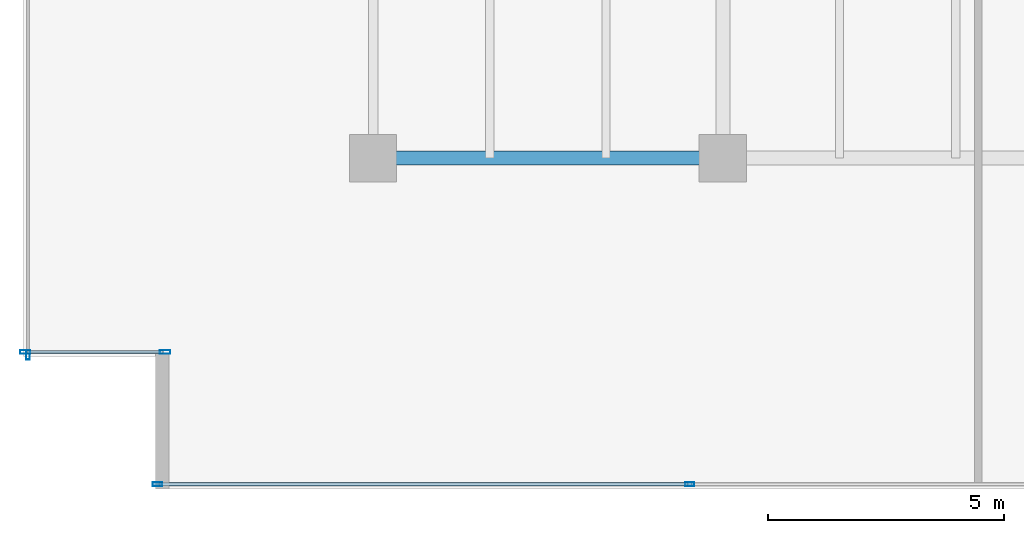
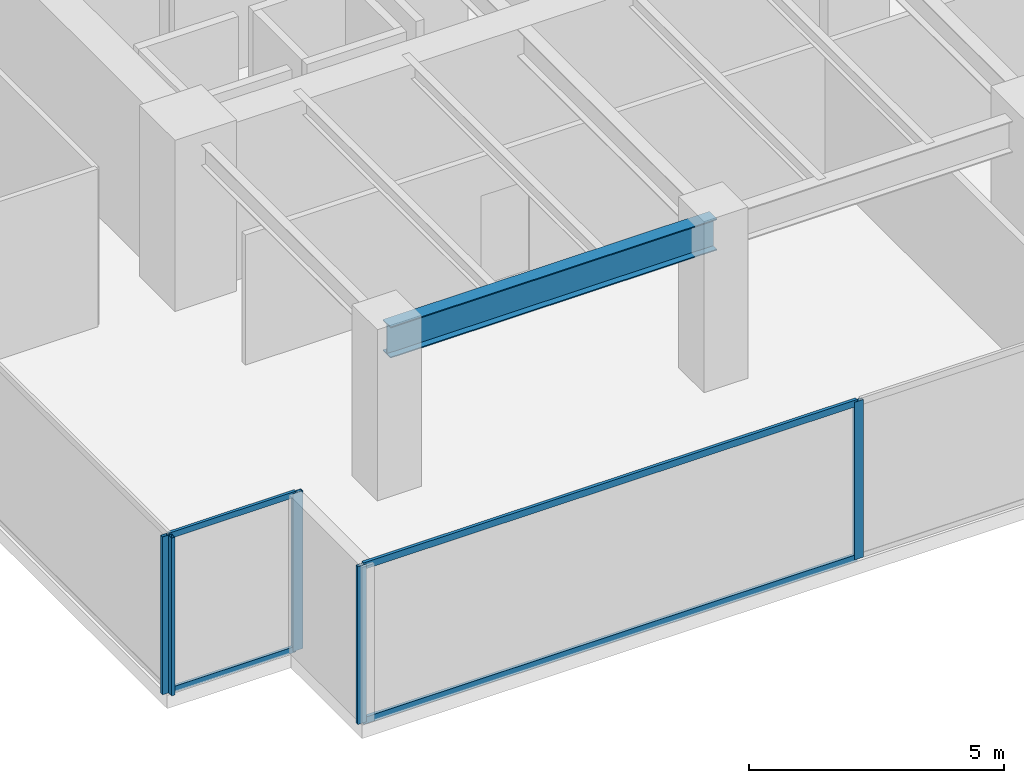
# One storey, part 2 of 35: 9 members, 1 beam, 3 elements without a shape of their own.
"""IFC4 building model written with IfcOpenShell, lengths in metres."""

from ifc_helpers import new_model, si_unit, direction, frame, origin, origin_2d, place, context, subcontext, project, spatial, hollow_rectangle, i_section, extrude, source, transform, mapped, material, layer, layer_set, material_profile, profile_set, type_object, type_shapes, element, aggregate, save


model = new_model("IFC4")

# Units and contexts
model_context = context("Model", 3, precision=1e-05, world=origin(), true_north=direction((0.0, 1.0)))
body_context = subcontext(model_context, "Body", "Model", "MODEL_VIEW")
ifc_project = project(units=[si_unit("LENGTHUNIT", "METRE"), si_unit("AREAUNIT", "SQUARE_METRE"), si_unit("VOLUMEUNIT", "CUBIC_METRE"), si_unit("PLANEANGLEUNIT", "RADIAN"), si_unit("MASSUNIT", "GRAM", prefix="KILO")], contexts=[model_context])

# Site, building, storey
site_placement = place(None, origin())
site = spatial("IfcSite", under=ifc_project, at=site_placement, CompositionType="ELEMENT")
building_placement = place(site_placement, origin())
building = spatial("IfcBuilding", under=site, at=building_placement, Name="Haelvirn Gate Laboratories", CompositionType="ELEMENT")
storey_placement = place(building_placement, frame((0.0, 0.0, 70.300048828125)))
storey = spatial("IfcBuildingStorey", under=building, at=storey_placement, Name="L17", CompositionType="ELEMENT", Elevation=70.300048828125)

# Beam
ifc_material_1 = material(Name="Steel SM355", Category="steel")
ifc_material_profile_1 = material_profile(ifc_material_1, i_section(OverallWidth=0.300048828125, OverallDepth=0.75, WebThickness=0.013916015625, FlangeThickness=0.02392578125, at=origin_2d()), Name="H-750x300x14x24")
ifc_profile_set_1 = profile_set([ifc_material_profile_1], Name="Steel SM355")
beam_type = type_object("IfcBeamType", Name="BM-G-750", PredefinedType="BEAM", material=ifc_profile_set_1)
shared_shape_1 = source(origin(), body_context, "Body", "SweptSolid", [
    extrude(i_section(OverallWidth=0.300048828125, OverallDepth=0.75, WebThickness=0.013916015625, FlangeThickness=0.02392578125, at=origin_2d()), origin(), (0.0, 0.0, 1.0), 7.400146484375),
])
type_shapes(beam_type, [shared_shape_1])
beam_placement = place(storey_placement, frame((7.39990234375, 7.0, 3.405029296875), z_axis=(1.0, 0.0, 0.0), x_axis=(0.0, 1.0, 0.0)))
element("IfcBeam", 1, at=beam_placement, inside=storey, type_object=beam_type, Name="L17 Primary Girder Y7.0 (7.4-14.8)", PredefinedType="BEAM", context=body_context, shape_type="MappedRepresentation", body=[
    mapped(shared_shape_1, transform((0.0, 0.0, 0.0), scale=1.0)),
])

# Curtain wall, members
ifc_material_2 = material(Name="Anodised bronze unitised aluminium & triple low-E glass", Category="aluminium")
ifc_layer_1 = layer(ifc_material_2, 0.18408203125, Name="CW-SYS-2")
ifc_layer_set_1 = layer_set([ifc_layer_1], Name="Anodised bronze unitised aluminium & triple low-E glass")
curtain_wall_type_1 = type_object("IfcCurtainWallType", Name="CW-SYS-2", PredefinedType="NOTDEFINED", material=ifc_layer_set_1)
curtain_wall_1_placement = place(storey_placement, origin())
curtain_wall_1 = element("IfcCurtainWall", 2, at=curtain_wall_1_placement, inside=storey, type_object=curtain_wall_type_1, Name="L17 Unitised Curtain Wall CW-L17-P0-E00-1", PredefinedType="NOTDEFINED")
ifc_material_3 = material(Name="Extruded aluminium 6063-T6 (anodised bronze)", Category="aluminium")
ifc_material_profile_2 = material_profile(ifc_material_3, hollow_rectangle(XDim=0.074951171875, YDim=0.199951171875, WallThickness=0.0048828125, at=origin_2d()), Name="CWM-200x75x5")
ifc_profile_set_2 = profile_set([ifc_material_profile_2], Name="Extruded aluminium 6063-T6 (anodised bronze)")
member_type_1 = type_object("IfcMemberType", Name="CWM-T200", PredefinedType="MULLION", material=ifc_profile_set_2)
shared_shape_2 = source(origin(), body_context, "Body", "SweptSolid", [
    extrude(hollow_rectangle(XDim=0.074951171875, YDim=0.199951171875, WallThickness=0.0048828125, at=origin_2d()), origin(), (0.0, 0.0, 1.0), 3.780029296875),
])
type_shapes(member_type_1, [shared_shape_2])
member_1_placement = place(storey_placement, frame((2.83740234375, 0.10009765625, 0.0), z_axis=(0.0, 0.0, 1.0), x_axis=(0.0, 1.0, 0.0)))
member_1 = element("IfcMember", 3, at=member_1_placement, type_object=member_type_1, Name="CW2 mullion 1", PredefinedType="MULLION", context=body_context, shape_type="MappedRepresentation", body=[
    mapped(shared_shape_2, transform((0.0, 0.0, 0.0), scale=1.0)),
])
member_2_placement = place(storey_placement, frame((14.10009765625, 0.10009765625, 0.0), z_axis=(0.0, 0.0, 1.0), x_axis=(0.0, 1.0, 0.0)))
member_2 = element("IfcMember", 4, at=member_2_placement, type_object=member_type_1, Name="CW2 mullion 2", PredefinedType="MULLION", context=body_context, shape_type="MappedRepresentation", body=[
    mapped(shared_shape_2, transform((0.0, 0.0, 0.0), scale=1.0)),
])

# Curtain wall, member
curtain_wall_2_placement = place(storey_placement, origin())
curtain_wall_2 = element("IfcCurtainWall", 5, at=curtain_wall_2_placement, inside=storey, type_object=curtain_wall_type_1, Name="L17 Unitised Curtain Wall CW-L17-P0-E17", PredefinedType="NOTDEFINED")
member_3_placement = place(storey_placement, frame((0.10009765625, 2.83740234375, 0.0), z_axis=(0.0, 0.0, 1.0), x_axis=(1.0, 0.0, 0.0)))
member_3 = element("IfcMember", 6, at=member_3_placement, type_object=member_type_1, Name="CW2 mullion 4", PredefinedType="MULLION", context=body_context, shape_type="MappedRepresentation", body=[
    mapped(shared_shape_2, transform((0.0, 0.0, 0.0), scale=1.0)),
])
aggregate(curtain_wall_2, [member_3])

# Member
ifc_material_profile_3 = material_profile(ifc_material_3, hollow_rectangle(XDim=0.070068359375, YDim=0.159912109375, WallThickness=0.0048828125, at=origin_2d()), Name="CWT-160x70x5")
ifc_profile_set_3 = profile_set([ifc_material_profile_3], Name="Extruded aluminium 6063-T6 (anodised bronze)")
member_type_2 = type_object("IfcMemberType", Name="CWT-T160", PredefinedType="USERDEFINED", material=ifc_profile_set_3)
shared_shape_3 = source(origin(), body_context, "Body", "SweptSolid", [
    extrude(hollow_rectangle(XDim=0.070068359375, YDim=0.159912109375, WallThickness=0.0048828125, at=origin_2d()), origin(), (0.0, 0.0, 1.0), 11.1875),
])
type_shapes(member_type_2, [shared_shape_3])
member_4_placement = place(storey_placement, frame((2.875, 0.10009765625, 0.034912109375), z_axis=(1.0, 0.0, 0.0), x_axis=(0.0, 1.0, 0.0)))
member_4 = element("IfcMember", 7, at=member_4_placement, type_object=member_type_2, Name="CW2 transom 1.1", ObjectType="TRANSOM", PredefinedType="USERDEFINED", context=body_context, shape_type="MappedRepresentation", body=[
    mapped(shared_shape_3, transform((0.0, 0.0, 0.0), scale=1.0)),
])

member_5_placement = place(storey_placement, frame((2.875, 0.10009765625, 3.744873046875), z_axis=(1.0, 0.0, 0.0), x_axis=(0.0, 1.0, 0.0)))
member_5 = element("IfcMember", 8, at=member_5_placement, type_object=member_type_2, Name="CW2 transom 1.2", ObjectType="TRANSOM", PredefinedType="USERDEFINED", context=body_context, shape_type="MappedRepresentation", body=[
    mapped(shared_shape_3, transform((0.0, 0.0, 0.0), scale=1.0)),
])

aggregate(curtain_wall_1, [member_1, member_2, member_4, member_5])

# Curtain wall, members
ifc_layer_2 = layer(ifc_material_2, 0.181884765625, Name="CW-SYS-5")
ifc_layer_set_2 = layer_set([ifc_layer_2], Name="Anodised bronze unitised aluminium & triple low-E glass")
curtain_wall_type_2 = type_object("IfcCurtainWallType", Name="CW-SYS-5", PredefinedType="NOTDEFINED", material=ifc_layer_set_2)
curtain_wall_3_placement = place(storey_placement, origin())
curtain_wall_3 = element("IfcCurtainWall", 9, at=curtain_wall_3_placement, inside=storey, type_object=curtain_wall_type_2, Name="L17 Unitised Curtain Wall CW-L17-P0-E18-1", PredefinedType="NOTDEFINED")
ifc_material_profile_4 = material_profile(ifc_material_3, hollow_rectangle(XDim=0.080078125, YDim=0.219970703125, WallThickness=0.006103515625, at=origin_2d()), Name="CWM-220x80x6")
ifc_profile_set_4 = profile_set([ifc_material_profile_4], Name="Extruded aluminium 6063-T6 (anodised bronze)")
member_type_3 = type_object("IfcMemberType", Name="CWM-T220", PredefinedType="MULLION", material=ifc_profile_set_4)
shared_shape_4 = source(origin(), body_context, "Body", "SweptSolid", [
    extrude(hollow_rectangle(XDim=0.080078125, YDim=0.219970703125, WallThickness=0.006103515625, at=origin_2d()), origin(), (0.0, 0.0, 1.0), 3.780029296875),
])
type_shapes(member_type_3, [shared_shape_4])
member_6_placement = place(storey_placement, frame((0.0400390625, 2.89990234375, 0.0), z_axis=(0.0, 0.0, 1.0), x_axis=(0.0, 1.0, 0.0)))
member_6 = element("IfcMember", 10, at=member_6_placement, type_object=member_type_3, Name="CW5 mullion 1", PredefinedType="MULLION", context=body_context, shape_type="MappedRepresentation", body=[
    mapped(shared_shape_4, transform((0.0, 0.0, 0.0), scale=1.0)),
])
member_7_placement = place(storey_placement, frame((3.0, 2.89990234375, 0.0), z_axis=(0.0, 0.0, 1.0), x_axis=(0.0, 1.0, 0.0)))
member_7 = element("IfcMember", 11, at=member_7_placement, type_object=member_type_3, Name="CW5 mullion 2", PredefinedType="MULLION", context=body_context, shape_type="MappedRepresentation", body=[
    mapped(shared_shape_4, transform((0.0, 0.0, 0.0), scale=1.0)),
])
ifc_material_profile_5 = material_profile(ifc_material_3, hollow_rectangle(XDim=0.06494140625, YDim=0.139892578125, WallThickness=0.00390625, at=origin_2d()), Name="CWT-140x65x4")
ifc_profile_set_5 = profile_set([ifc_material_profile_5], Name="Extruded aluminium 6063-T6 (anodised bronze)")
member_type_4 = type_object("IfcMemberType", Name="CWT-T140", PredefinedType="USERDEFINED", material=ifc_profile_set_5)
shared_shape_5 = source(origin(), body_context, "Body", "SweptSolid", [
    extrude(hollow_rectangle(XDim=0.06494140625, YDim=0.139892578125, WallThickness=0.00390625, at=origin_2d()), origin(), (0.0, 0.0, 1.0), 2.8798828125),
])
type_shapes(member_type_4, [shared_shape_5])
member_8_placement = place(storey_placement, frame((0.080078125, 2.89990234375, 0.032470703125), z_axis=(1.0, 0.0, 0.0), x_axis=(0.0, 1.0, 0.0)))
member_8 = element("IfcMember", 12, at=member_8_placement, type_object=member_type_4, Name="CW5 transom 1.1", ObjectType="TRANSOM", PredefinedType="USERDEFINED", context=body_context, shape_type="MappedRepresentation", body=[
    mapped(shared_shape_5, transform((0.0, 0.0, 0.0), scale=1.0)),
])
member_9_placement = place(storey_placement, frame((0.080078125, 2.89990234375, 3.74755859375), z_axis=(1.0, 0.0, 0.0), x_axis=(0.0, 1.0, 0.0)))
member_9 = element("IfcMember", 13, at=member_9_placement, type_object=member_type_4, Name="CW5 transom 1.2", ObjectType="TRANSOM", PredefinedType="USERDEFINED", context=body_context, shape_type="MappedRepresentation", body=[
    mapped(shared_shape_5, transform((0.0, 0.0, 0.0), scale=1.0)),
])
aggregate(curtain_wall_3, [member_6, member_7, member_8, member_9])

save(model, "model.ifc")
